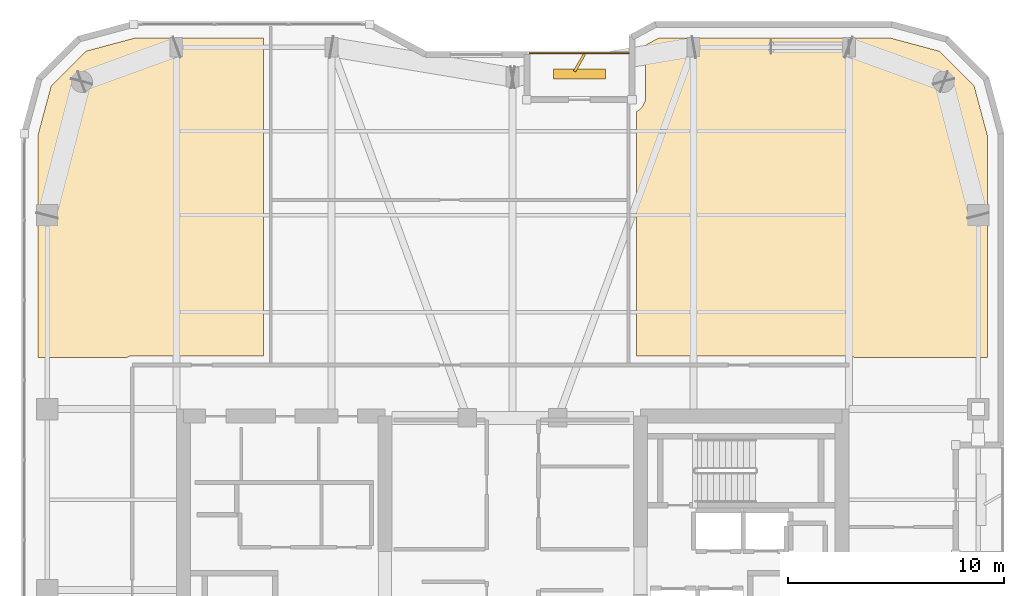
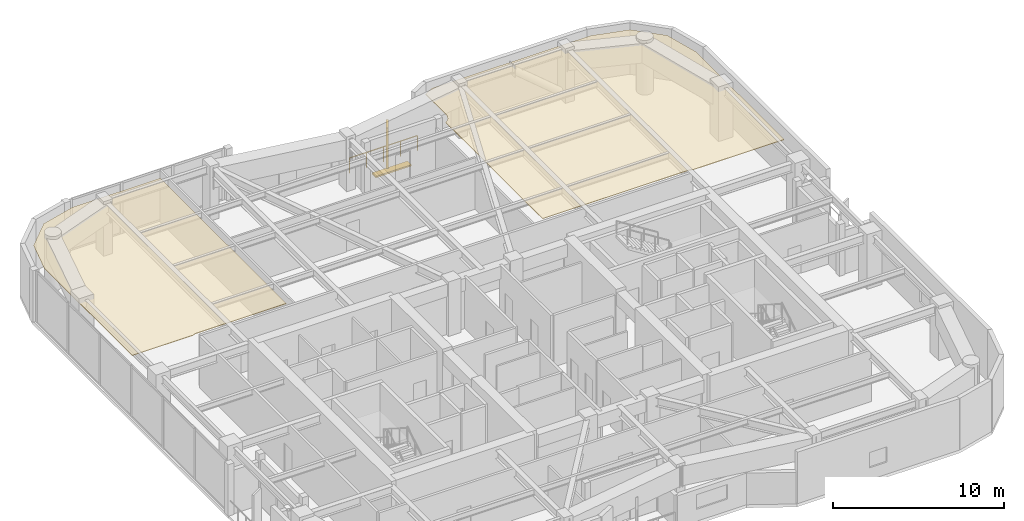
# One storey, part 21 of 21: 2 coverings, 2 shading devices, 1 railing.
"""IFC4 building model written with IfcOpenShell, lengths in metres."""

import ifcopenshell
import ifcopenshell.guid

model = None  # the IFC model being written
_history = None  # IfcOwnerHistory: only IFC2X3 demands one
_inside = {}  # id of a spatial element -> (the spatial element, [elements in it])
_under = {}  # id of a project, library or spatial element -> (it, [spatial elements below it])
_declared = {}  # id of a project -> (the project, [libraries it declares])
_typed = {}  # id of a type object -> (the type object, [elements of that type])
_made_of = {}  # id of a material, layer set ... -> (it, [elements and type objects made of it])


def new_model(schema):
    """Start an empty IFC model of exactly this schema.

    Asked for "IFC4X3", IfcOpenShell would pick the latest addendum, in which some entities
    have other attributes; the version numbers below select the first issue.
    IFC2X3 requires an IfcOwnerHistory on every rooted entity: one is made here for all.
    """
    global model, _history
    if schema == "IFC4X3":
        model = ifcopenshell.file(schema_version=(4, 3, 0, 0))
    else:
        model = ifcopenshell.file(schema=schema)
    _inside.clear()
    _under.clear()
    _declared.clear()
    _typed.clear()
    _made_of.clear()
    _history = None
    if model.schema == "IFC2X3":
        org = make("IfcOrganization", Name="unknown")
        user = make(
            "IfcPersonAndOrganization",
            ThePerson=make("IfcPerson", FamilyName="unknown"),
            TheOrganization=org,
        )
        app = make(
            "IfcApplication",
            ApplicationDeveloper=org,
            Version="unknown",
            ApplicationFullName="unknown",
            ApplicationIdentifier="unknown",
        )
        _history = make(
            "IfcOwnerHistory",
            OwningUser=user,
            OwningApplication=app,
            ChangeAction="ADDED",
            CreationDate=0,
        )
    return model


def make(cls, **values):
    """One entity of the class cls with the attributes given. An attribute that is None is left unset."""
    return model.create_entity(
        cls, **{name: value for name, value in values.items() if value is not None}
    )


def rooted(cls, **values):
    """An entity with a GlobalId (a new one), such as an element, a storey or a relation."""
    return make(cls, GlobalId=ifcopenshell.guid.new(), OwnerHistory=_history, **values)


def si_unit(unit_type, name, prefix=None):
    """IfcSIUnit, for example si_unit("LENGTHUNIT", "METRE", prefix="MILLI")."""
    return make("IfcSIUnit", UnitType=unit_type, Prefix=prefix, Name=name)


def assignment(units):
    """IfcUnitAssignment: the units of a project."""
    return None if units is None else make("IfcUnitAssignment", Units=units)


def point(xyz):
    """IfcCartesianPoint."""
    return None if xyz is None else make("IfcCartesianPoint", Coordinates=xyz)


def direction(xyz):
    """IfcDirection."""
    return None if xyz is None else make("IfcDirection", DirectionRatios=xyz)


def frame(location, z_axis=None, x_axis=None):
    """IfcAxis2Placement3D, a coordinate frame: its origin and axes. An axis left out is left unset."""
    return make(
        "IfcAxis2Placement3D",
        Location=point(location),
        Axis=direction(z_axis),
        RefDirection=direction(x_axis),
    )


def frame_2d(location, x_axis=None):
    """IfcAxis2Placement2D, a coordinate frame in the plane: its origin and x axis."""
    return make(
        "IfcAxis2Placement2D", Location=point(location), RefDirection=direction(x_axis)
    )


def origin():
    """The frame at (0, 0, 0) with its axes left unset."""
    return frame((0.0, 0.0, 0.0))


def origin_2d():
    """The frame at (0, 0) in the plane with its x axis left unset."""
    return frame_2d((0.0, 0.0))


def place(relative_to, where):
    """IfcLocalPlacement: puts the frame where relative to a parent placement (None: the world)."""
    return make(
        "IfcLocalPlacement", PlacementRelTo=relative_to, RelativePlacement=where
    )


def context(
    kind, dimensions, precision=None, world=None, true_north=None, identifier=None
):
    """IfcGeometricRepresentationContext, for example the 3D "Model" context."""
    return make(
        "IfcGeometricRepresentationContext",
        ContextIdentifier=identifier,
        ContextType=kind,
        CoordinateSpaceDimension=dimensions,
        Precision=precision,
        WorldCoordinateSystem=world,
        TrueNorth=true_north,
    )


def subcontext(parent, identifier, kind, view, scale=None):
    """IfcGeometricRepresentationSubContext, for example "Body" below "Model"."""
    return make(
        "IfcGeometricRepresentationSubContext",
        ContextIdentifier=identifier,
        ContextType=kind,
        ParentContext=parent,
        TargetScale=scale,
        TargetView=view,
    )


def project(units=None, contexts=None):
    """IfcProject with its units and contexts."""
    return rooted(
        "IfcProject",
        Name="project",
        RepresentationContexts=contexts,
        UnitsInContext=assignment(units),
    )


def spatial(cls, under=None, at=None, **own):
    """A site, building, storey or space (cls), placed at a placement, below another one or the project."""
    s = rooted(cls, ObjectPlacement=at, **own)
    if under is not None:
        _under.setdefault(under.id(), (under, []))[1].append(s)
    return s


def polyline(points):
    """IfcPolyline through the points."""
    return make("IfcPolyline", Points=[point(p) for p in points])


def profile(cls, at=None, kind="AREA", **sizes):
    """A parametric profile (cls). Its sizes go by their IFC names, for example OverallWidth=200.0."""
    return make(cls, ProfileType=kind, Position=at, **sizes)


def rectangle(**sizes):
    """IfcRectangleProfileDef."""
    return profile("IfcRectangleProfileDef", **sizes)


def outline(outer, holes=None, kind="AREA"):
    """IfcArbitraryClosedProfileDef: a profile drawn as a closed curve; with holes, ...WithVoids."""
    if holes is None:
        return make("IfcArbitraryClosedProfileDef", ProfileType=kind, OuterCurve=outer)
    return make(
        "IfcArbitraryProfileDefWithVoids",
        ProfileType=kind,
        OuterCurve=outer,
        InnerCurves=holes,
    )


def extrude(swept, where, along, depth):
    """IfcExtrudedAreaSolid: the profile swept, set in the frame where, extruded along a direction by depth."""
    return make(
        "IfcExtrudedAreaSolid",
        SweptArea=swept,
        Position=where,
        ExtrudedDirection=direction(along),
        Depth=depth,
    )


def shape(context_of_items, identifier, shape_type, items):
    """IfcShapeRepresentation: the items that make up one representation, for example the "Body"."""
    return make(
        "IfcShapeRepresentation",
        ContextOfItems=context_of_items,
        RepresentationIdentifier=identifier,
        RepresentationType=shape_type,
        Items=items,
    )


def material(Name=None, Category=None):
    """IfcMaterial."""
    return make("IfcMaterial", Name=Name, Category=Category)


def layer(
    of_material, thickness, ventilated=None, Name=None, Category=None, Priority=None
):
    """IfcMaterialLayer: one layer of a wall or slab, of a material (None: an air gap)."""
    return make(
        "IfcMaterialLayer",
        Material=of_material,
        LayerThickness=thickness,
        IsVentilated=ventilated,
        Name=Name,
        Category=Category,
        Priority=Priority,
    )


def layer_set(layers, Name=None):
    """IfcMaterialLayerSet."""
    return make("IfcMaterialLayerSet", MaterialLayers=layers, LayerSetName=Name)


def made_of(thing, what):
    """Note that an element or type object is made of a material, layer set ...; save() writes the relation."""
    if what is not None:
        _made_of.setdefault(what.id(), (what, []))[1].append(thing)
    return thing


def type_object(cls, material=None, **own):
    """A type object (cls), such as IfcWallType, which elements share."""
    return made_of(rooted(cls, **own), material)


def element(
    cls,
    number,
    at=None,
    inside=None,
    cuts=None,
    type_object=None,
    material=None,
    context=None,
    identifier="Body",
    shape_type=None,
    held_by="IfcProductDefinitionShape",
    body=None,
    shapes=None,
    **own,
):
    """One element of the class cls, such as IfcWall. Its Tag is "e" and its number.

    at: its placement. inside: the storey or other place that contains it. cuts: it is an
    opening in that element (IfcRelVoidsElement). A single representation is given by context,
    identifier, shape_type and body (its items); several are given by shapes. held_by: the class
    of the entity that holds the representations. save() writes the other relations.
    """
    e = rooted(cls, Tag="e%d" % number, ObjectPlacement=at, **own)
    if body is not None:
        shapes = [shape(context, identifier, shape_type, body)]
    if shapes is not None:
        e.Representation = make(held_by, Representations=shapes)
    if inside is not None:
        _inside.setdefault(inside.id(), (inside, []))[1].append(e)
    if cuts is not None:
        rooted(
            "IfcRelVoidsElement", RelatingBuildingElement=cuts, RelatedOpeningElement=e
        )
    if type_object is not None:
        _typed.setdefault(type_object.id(), (type_object, []))[1].append(e)
    return made_of(e, material)


def aggregate(whole, parts):
    """IfcRelAggregates: a whole, such as a stair, and the parts it consists of."""
    return rooted("IfcRelAggregates", RelatingObject=whole, RelatedObjects=parts)


def save(model, path):
    """Write the relations noted so far, then the file.

    IfcRelAggregates (storeys below a building ...), IfcRelContainedInSpatialStructure (elements
    in a storey), IfcRelDefinesByType, IfcRelAssociatesMaterial and IfcRelDeclares: one each for
    every whole, place, type object, material and project.
    """
    for whole, parts in _under.values():
        aggregate(whole, parts)
    for where, things in _inside.values():
        rooted(
            "IfcRelContainedInSpatialStructure",
            RelatedElements=things,
            RelatingStructure=where,
        )
    for kind, things in _typed.values():
        rooted("IfcRelDefinesByType", RelatedObjects=things, RelatingType=kind)
    for what, things in _made_of.values():
        rooted("IfcRelAssociatesMaterial", RelatedObjects=things, RelatingMaterial=what)
    for by, libraries in _declared.values():
        rooted("IfcRelDeclares", RelatingContext=by, RelatedDefinitions=libraries)
    model.write(path)


model = new_model("IFC4")

# Units and contexts
model_context = context("Model", 3, precision=1e-05, world=origin(), true_north=direction((0.0, 1.0)))
body_context = subcontext(model_context, "Body", "Model", "MODEL_VIEW")
ifc_project = project(units=[si_unit("LENGTHUNIT", "METRE"), si_unit("AREAUNIT", "SQUARE_METRE"), si_unit("VOLUMEUNIT", "CUBIC_METRE"), si_unit("PLANEANGLEUNIT", "RADIAN"), si_unit("MASSUNIT", "GRAM", prefix="KILO")], contexts=[model_context])

# Site, building, storey
site_placement = place(None, origin())
site = spatial("IfcSite", under=ifc_project, at=site_placement, CompositionType="ELEMENT")
building_placement = place(site_placement, origin())
building = spatial("IfcBuilding", under=site, at=building_placement, Name="Kiyonajd Concourse Tower", CompositionType="ELEMENT")
storey_placement = place(building_placement, frame((0.0, 0.0, 231.0)))
storey = spatial("IfcBuildingStorey", under=building, at=storey_placement, Name="L58", CompositionType="ELEMENT", Elevation=231.0)

# Coverings
ifc_material_1 = material(Name="Natural Oak Acoustic Timber Veneer", Category="wood")
ifc_layer = layer(ifc_material_1, 0.0400390625)
ifc_layer_set = layer_set([ifc_layer], Name="Natural Oak Acoustic Timber Veneer")
covering_type = type_object("IfcCoveringType", Name="CV-CLG-ACST", PredefinedType="CEILING", material=ifc_layer_set)
covering_1_placement = place(storey_placement, frame((0.0, 0.0, 3.5)))
element("IfcCovering", 1, at=covering_1_placement, inside=storey, type_object=covering_type, Name="L58-42 Room Acoustic Ceiling", PredefinedType="CEILING", context=body_context, shape_type="SweptSolid", body=[
    extrude(outline(polyline([(28.197998046875, 61.011962890625), (30.5009765625, 61.6298828125), (36.429931640625, 61.6298828125), (36.429931640625, 46.8798828125), (30.35009765625, 46.8798828125), (30.219970703125, 46.860107421875), (30.156982421875, 46.833984375), (30.10205078125, 46.800048828125), (25.969970703125, 46.800048828125), (25.969970703125, 57.09912109375), (26.587890625, 59.402099609375), (28.197998046875, 61.011962890625)])), origin(), (0.0, 0.0, 1.0), 0.0400390625),
])
covering_2_placement = place(storey_placement, frame((0.0, 0.0, 3.5)))
element("IfcCovering", 2, at=covering_2_placement, inside=storey, type_object=covering_type, Name="L58-45 Room Acoustic Ceiling", PredefinedType="CEILING", context=body_context, shape_type="SweptSolid", body=[
    extrude(outline(polyline([(53.75, 58.216064453125), (53.839111328125, 58.26806640625), (53.90087890625, 58.31494140625), (53.985107421875, 58.39892578125), (54.031982421875, 58.4609375), (54.116943359375, 58.62109375), (54.14208984375, 58.693115234375), (54.1640625, 58.80810546875), (54.169921875, 61.2939453125), (54.7939453125, 61.6298828125), (65.4990234375, 61.6298828125), (67.802001953125, 61.011962890625), (69.412109375, 59.402099609375), (70.030029296875, 57.09912109375), (70.030029296875, 46.800048828125), (63.847900390625, 46.800048828125), (63.79296875, 46.833984375), (63.72998046875, 46.860107421875), (63.60009765625, 46.8798828125), (53.75, 46.8798828125), (53.75, 58.216064453125)])), origin(), (0.0, 0.0, 1.0), 0.0400390625),
])

# Railing
ifc_material_2 = material(Name="Thermally Broken Anodised Aluminium", Category="aluminium")
railing_type = type_object("IfcRailingType", Name="RL-GRD-LOG", PredefinedType="GUARDRAIL", material=ifc_material_2)
railing_placement = place(storey_placement, frame((53.39990234375, 60.919921875, 0.0)))
element("IfcRailing", 3, at=railing_placement, inside=storey, type_object=railing_type, Name="L58 Engawa Loggia Perimeter Guard LOG-N", PredefinedType="GUARDRAIL", context=body_context, shape_type="SweptSolid", body=[
    extrude(rectangle(XDim=0.048095703125, YDim=0.048095703125, at=origin_2d()), frame((0.0, 0.0, 1.076171875), z_axis=(-1.0, 0.0, 0.0), x_axis=(0.0, -1.0, 0.0)), (0.0, 0.0, 1.0), 4.599853515625),
    extrude(rectangle(XDim=0.0419921875, YDim=0.0419921875, at=origin_2d()), origin(), (0.0, 0.0, 1.0), 1.052001953125),
    extrude(rectangle(XDim=0.0419921875, YDim=0.0419921875, at=origin_2d()), frame((-1.14990234375, 0.0, 0.0)), (0.0, 0.0, 1.0), 1.052001953125),
    extrude(rectangle(XDim=0.0419921875, YDim=0.0419921875, at=origin_2d()), frame((-2.2998046875, 0.0, 0.0)), (0.0, 0.0, 1.0), 1.052001953125),
    extrude(rectangle(XDim=0.0419921875, YDim=0.0419921875, at=origin_2d()), frame((-3.449951171875, 0.0, 0.0)), (0.0, 0.0, 1.0), 1.052001953125),
    extrude(rectangle(XDim=0.0419921875, YDim=0.0419921875, at=origin_2d()), frame((-4.599853515625, 0.0, 0.0)), (0.0, 0.0, 1.0), 1.052001953125),
])

# Shading devices
ifc_material_3 = material(Name="Precast concrete C50/60", Category="concrete")
shading_device_type_1 = type_object("IfcShadingDeviceType", Name="SH-FIN-900", PredefinedType="USERDEFINED", material=ifc_material_3)
shading_device_1_placement = place(storey_placement, frame((51.10009765625, 60.469970703125, 0.0), z_axis=(0.0, 0.0, 1.0), x_axis=(0.5, 0.866025403784, 0.0)))
element("IfcShadingDevice", 4, at=shading_device_1_placement, inside=storey, type_object=shading_device_type_1, Name="L58 Angled Koshi Solar Fin LOG-N", ObjectType="FIN", PredefinedType="USERDEFINED", context=body_context, shape_type="SweptSolid", body=[
    extrude(rectangle(XDim=0.89990234375, YDim=0.1201171875, at=origin_2d()), origin(), (0.0, 0.0, 1.0), 3.0),
])
shading_device_type_2 = type_object("IfcShadingDeviceType", Name="SH-LVR-600", PredefinedType="JALOUSIE", material=ifc_material_2)
shading_device_2_placement = place(storey_placement, frame((51.10009765625, 59.949951171875, 0.0), z_axis=(0.0, 0.0, 1.0), x_axis=(1.0, 0.0, 0.0)))
element("IfcShadingDevice", 5, at=shading_device_2_placement, inside=storey, type_object=shading_device_type_2, Name="L58 Loggia Threshold Louver LOG-N", PredefinedType="JALOUSIE", context=body_context, shape_type="SweptSolid", body=[
    extrude(rectangle(XDim=2.39990234375, YDim=0.449951171875, at=origin_2d()), origin(), (0.0, 0.0, 1.0), 0.10009765625),
])

save(model, "model.ifc")
